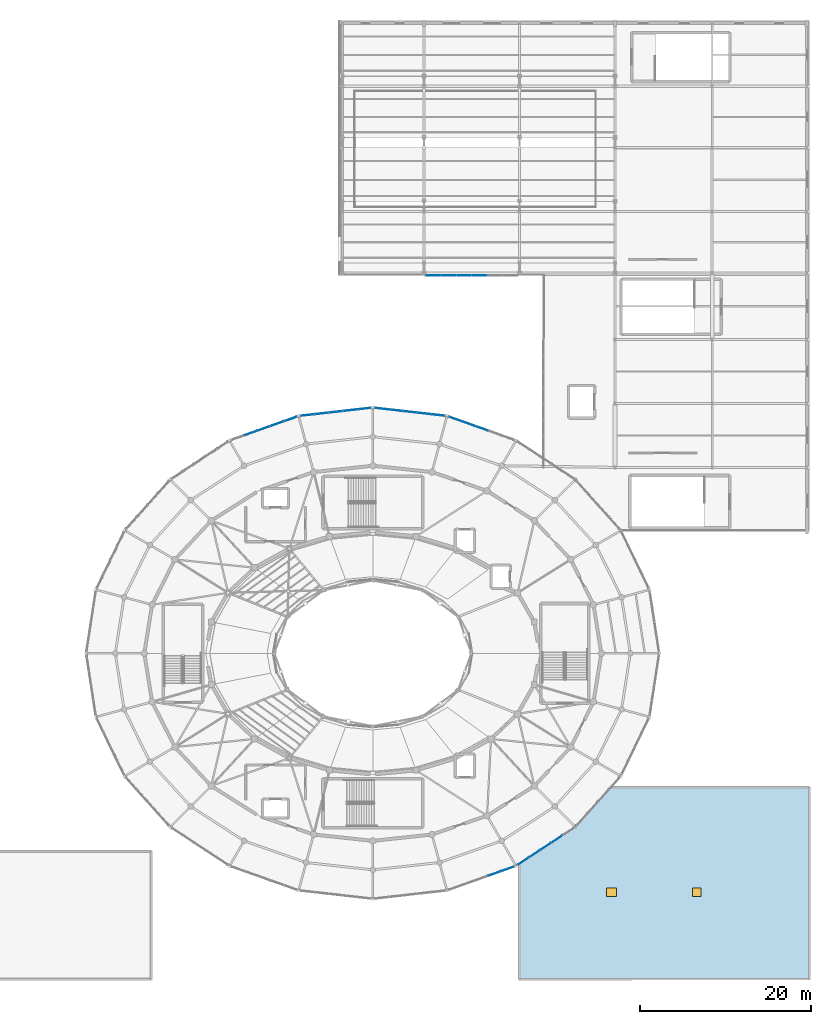
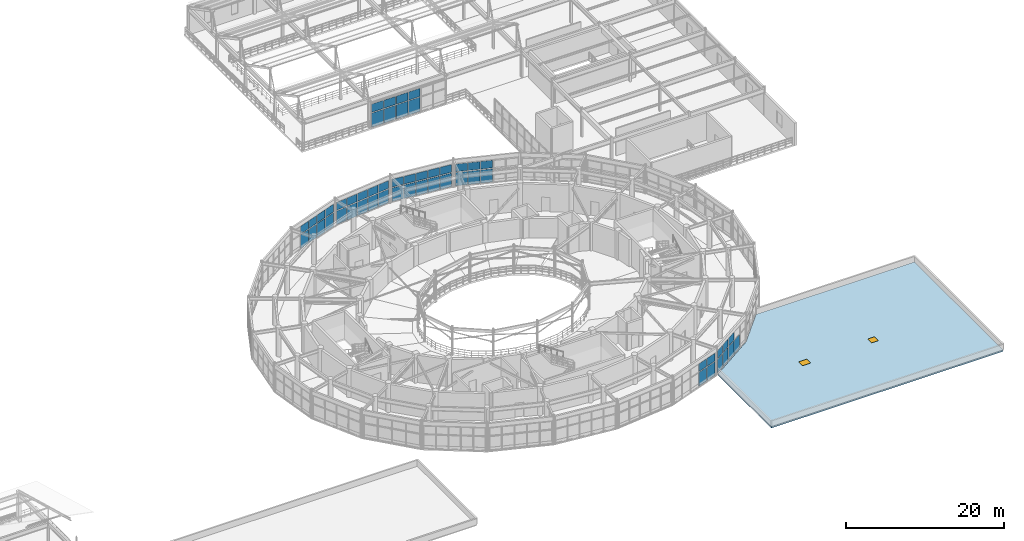
# One storey, part 77 of 112: 53 plates, 2 doors, 1 slab, 2 openings, 7 elements without a shape of their own.
"""IFC4 building model written with IfcOpenShell, lengths in metres."""

from ifc_helpers import new_model, si_unit, direction, frame, origin, origin_2d, place, context, subcontext, project, spatial, polyline, rectangle, outline, extrude, material, layer, layer_set, type_object, element, fill, aggregate, save


model = new_model("IFC4")

# Units and contexts
model_context = context("Model", 3, precision=1e-05, world=origin(), true_north=direction((0.0, 1.0)))
body_context = subcontext(model_context, "Body", "Model", "MODEL_VIEW")
ifc_project = project(units=[si_unit("LENGTHUNIT", "METRE"), si_unit("AREAUNIT", "SQUARE_METRE"), si_unit("VOLUMEUNIT", "CUBIC_METRE"), si_unit("PLANEANGLEUNIT", "RADIAN"), si_unit("MASSUNIT", "GRAM", prefix="KILO")], contexts=[model_context])

# Site, building, storey
site_placement = place(None, origin())
site = spatial("IfcSite", under=ifc_project, at=site_placement, CompositionType="ELEMENT")
building_placement = place(site_placement, origin())
building = spatial("IfcBuilding", under=site, at=building_placement, Name="Cinderbank Siding Concert Hall", CompositionType="ELEMENT")
storey_placement = place(building_placement, frame((0.0, 0.0, 10.199951171875)))
storey = spatial("IfcBuildingStorey", under=building, at=storey_placement, Name="L03", CompositionType="ELEMENT", Elevation=10.199951171875)

# Curtain wall, plates
ifc_material_1 = material(Name="Anodised aluminium alloy 6063-T6", Category="aluminium")
curtain_wall_type_1 = type_object("IfcCurtainWallType", Name="CW-08 Unitised Acoustic Curtain Wall 6400x3800", PredefinedType="NOTDEFINED", material=ifc_material_1)
curtain_wall_1_placement = place(storey_placement, origin())
curtain_wall_1 = element("IfcCurtainWall", 1, at=curtain_wall_1_placement, inside=storey, type_object=curtain_wall_type_1, Name="L03 Curtain Wall CW-08 #32", PredefinedType="NOTDEFINED")
ifc_material_2 = material(Name="Double-glazed laminated acoustic glass", Category="glass")
ifc_layer_1 = layer(ifc_material_2, 0.035888671875)
ifc_layer_set_1 = layer_set([ifc_layer_1], Name="Double-glazed laminated acoustic glass")
plate_type_1 = type_object("IfcPlateType", Name="CP-01 Glazed Curtain Panel 1800x2200", PredefinedType="CURTAIN_PANEL", material=ifc_layer_set_1)
plate_1_placement = place(storey_placement, frame((112.322265625, 71.47021484375, 0.1201171875), z_axis=(0.0, 0.0, 1.0), x_axis=(-0.942365662238, -0.334584755532, 0.0)))
plate_1 = element("IfcPlate", 2, at=plate_1_placement, type_object=plate_type_1, Name="CW-L03-032 Glazed Panel 0-0", PredefinedType="CURTAIN_PANEL", context=body_context, shape_type="SweptSolid", body=[
    extrude(rectangle(XDim=1.529052734375, YDim=0.035888671875, at=origin_2d()), origin(), (0.0, 0.0, 1.0), 2.093505859375),
])
plate_2_placement = place(storey_placement, frame((112.322265625, 71.47021484375, 2.333740234375), z_axis=(0.0, 0.0, 1.0), x_axis=(-0.942365662238, -0.334584755532, 0.0)))
plate_2 = element("IfcPlate", 3, at=plate_2_placement, type_object=plate_type_1, Name="CW-L03-032 Glazed Panel 0-1", PredefinedType="CURTAIN_PANEL", context=body_context, shape_type="SweptSolid", body=[
    extrude(rectangle(XDim=1.529052734375, YDim=0.035888671875, at=origin_2d()), origin(), (0.0, 0.0, 1.0), 1.21337890625),
])
plate_3_placement = place(storey_placement, frame((110.787109375, 70.92529296875, 0.1201171875), z_axis=(0.0, 0.0, 1.0), x_axis=(-0.942365662238, -0.334584755532, 0.0)))
plate_3 = element("IfcPlate", 4, at=plate_3_placement, type_object=plate_type_1, Name="CW-L03-032 Glazed Panel 1-0", PredefinedType="CURTAIN_PANEL", context=body_context, shape_type="SweptSolid", body=[
    extrude(rectangle(XDim=1.529052734375, YDim=0.035888671875, at=origin_2d()), origin(), (0.0, 0.0, 1.0), 2.093505859375),
])
plate_4_placement = place(storey_placement, frame((110.787109375, 70.92529296875, 2.333740234375), z_axis=(0.0, 0.0, 1.0), x_axis=(-0.942365662238, -0.334584755532, 0.0)))
plate_4 = element("IfcPlate", 5, at=plate_4_placement, type_object=plate_type_1, Name="CW-L03-032 Glazed Panel 1-1", PredefinedType="CURTAIN_PANEL", context=body_context, shape_type="SweptSolid", body=[
    extrude(rectangle(XDim=1.529052734375, YDim=0.035888671875, at=origin_2d()), origin(), (0.0, 0.0, 1.0), 1.21337890625),
])
plate_5_placement = place(storey_placement, frame((109.251953125, 70.380126953125, 0.1201171875), z_axis=(0.0, 0.0, 1.0), x_axis=(-0.942365662238, -0.334584755532, 0.0)))
plate_5 = element("IfcPlate", 6, at=plate_5_placement, type_object=plate_type_1, Name="CW-L03-032 Glazed Panel 2-0", PredefinedType="CURTAIN_PANEL", context=body_context, shape_type="SweptSolid", body=[
    extrude(rectangle(XDim=1.529052734375, YDim=0.035888671875, at=origin_2d()), origin(), (0.0, 0.0, 1.0), 2.093505859375),
])
plate_6_placement = place(storey_placement, frame((109.251953125, 70.380126953125, 2.333740234375), z_axis=(0.0, 0.0, 1.0), x_axis=(-0.942365662238, -0.334584755532, 0.0)))
plate_6 = element("IfcPlate", 7, at=plate_6_placement, type_object=plate_type_1, Name="CW-L03-032 Glazed Panel 2-1", PredefinedType="CURTAIN_PANEL", context=body_context, shape_type="SweptSolid", body=[
    extrude(rectangle(XDim=1.529052734375, YDim=0.035888671875, at=origin_2d()), origin(), (0.0, 0.0, 1.0), 1.21337890625),
])
plate_7_placement = place(storey_placement, frame((107.716796875, 69.8349609375, 0.1201171875), z_axis=(0.0, 0.0, 1.0), x_axis=(-0.942365662238, -0.334584755532, 0.0)))
plate_7 = element("IfcPlate", 8, at=plate_7_placement, type_object=plate_type_1, Name="CW-L03-032 Glazed Panel 3-0", PredefinedType="CURTAIN_PANEL", context=body_context, shape_type="SweptSolid", body=[
    extrude(rectangle(XDim=1.529052734375, YDim=0.035888671875, at=origin_2d()), origin(), (0.0, 0.0, 1.0), 2.093505859375),
])
plate_8_placement = place(storey_placement, frame((107.716796875, 69.8349609375, 2.333740234375), z_axis=(0.0, 0.0, 1.0), x_axis=(-0.942365662238, -0.334584755532, 0.0)))
plate_8 = element("IfcPlate", 9, at=plate_8_placement, type_object=plate_type_1, Name="CW-L03-032 Glazed Panel 3-1", PredefinedType="CURTAIN_PANEL", context=body_context, shape_type="SweptSolid", body=[
    extrude(rectangle(XDim=1.529052734375, YDim=0.035888671875, at=origin_2d()), origin(), (0.0, 0.0, 1.0), 1.21337890625),
])
aggregate(curtain_wall_1, [plate_1, plate_2, plate_3, plate_4, plate_5, plate_6, plate_7, plate_8])

curtain_wall_type_2 = type_object("IfcCurtainWallType", Name="CW-16 Unitised Acoustic Curtain Wall 9200x3800", PredefinedType="NOTDEFINED", material=ifc_material_1)
curtain_wall_2_placement = place(storey_placement, origin())
curtain_wall_2 = element("IfcCurtainWall", 10, at=curtain_wall_2_placement, inside=storey, type_object=curtain_wall_type_2, Name="L03 Curtain Wall CW-16 #152", PredefinedType="NOTDEFINED")
plate_9_placement = place(storey_placement, frame((129.09423828125, 88.300048828125, 0.1201171875), z_axis=(0.0, 0.0, 1.0), x_axis=(1.0, 0.0, 0.0)))
plate_9 = element("IfcPlate", 11, at=plate_9_placement, type_object=plate_type_1, Name="CW-L03-152 Glazed Panel 0-0", PredefinedType="CURTAIN_PANEL", context=body_context, shape_type="SweptSolid", body=[
    extrude(rectangle(XDim=1.702392578125, YDim=0.035888671875, at=origin_2d()), origin(), (0.0, 0.0, 1.0), 2.174072265625),
])
plate_10_placement = place(storey_placement, frame((129.09423828125, 88.300048828125, 2.4140625), z_axis=(0.0, 0.0, 1.0), x_axis=(1.0, 0.0, 0.0)))
plate_10 = element("IfcPlate", 12, at=plate_10_placement, type_object=plate_type_1, Name="CW-L03-152 Glazed Panel 0-1", PredefinedType="CURTAIN_PANEL", context=body_context, shape_type="SweptSolid", body=[
    extrude(rectangle(XDim=1.702392578125, YDim=0.035888671875, at=origin_2d()), origin(), (0.0, 0.0, 1.0), 1.262939453125),
])
plate_11_placement = place(storey_placement, frame((130.896484375, 88.300048828125, 0.1201171875), z_axis=(0.0, 0.0, 1.0), x_axis=(1.0, 0.0, 0.0)))
plate_11 = element("IfcPlate", 13, at=plate_11_placement, type_object=plate_type_1, Name="CW-L03-152 Glazed Panel 1-0", PredefinedType="CURTAIN_PANEL", context=body_context, shape_type="SweptSolid", body=[
    extrude(rectangle(XDim=1.702392578125, YDim=0.035888671875, at=origin_2d()), origin(), (0.0, 0.0, 1.0), 2.174072265625),
])
plate_12_placement = place(storey_placement, frame((130.896484375, 88.300048828125, 2.4140625), z_axis=(0.0, 0.0, 1.0), x_axis=(1.0, 0.0, 0.0)))
plate_12 = element("IfcPlate", 14, at=plate_12_placement, type_object=plate_type_1, Name="CW-L03-152 Glazed Panel 1-1", PredefinedType="CURTAIN_PANEL", context=body_context, shape_type="SweptSolid", body=[
    extrude(rectangle(XDim=1.702392578125, YDim=0.035888671875, at=origin_2d()), origin(), (0.0, 0.0, 1.0), 1.262939453125),
])
plate_13_placement = place(storey_placement, frame((132.69873046875, 88.300048828125, 0.1201171875), z_axis=(0.0, 0.0, 1.0), x_axis=(1.0, 0.0, 0.0)))
plate_13 = element("IfcPlate", 15, at=plate_13_placement, type_object=plate_type_1, Name="CW-L03-152 Glazed Panel 2-0", PredefinedType="CURTAIN_PANEL", context=body_context, shape_type="SweptSolid", body=[
    extrude(rectangle(XDim=1.702392578125, YDim=0.035888671875, at=origin_2d()), origin(), (0.0, 0.0, 1.0), 2.174072265625),
])
plate_14_placement = place(storey_placement, frame((132.69873046875, 88.300048828125, 2.4140625), z_axis=(0.0, 0.0, 1.0), x_axis=(1.0, 0.0, 0.0)))
plate_14 = element("IfcPlate", 16, at=plate_14_placement, type_object=plate_type_1, Name="CW-L03-152 Glazed Panel 2-1", PredefinedType="CURTAIN_PANEL", context=body_context, shape_type="SweptSolid", body=[
    extrude(rectangle(XDim=1.702392578125, YDim=0.035888671875, at=origin_2d()), origin(), (0.0, 0.0, 1.0), 1.262939453125),
])
plate_15_placement = place(storey_placement, frame((134.501220703125, 88.300048828125, 0.1201171875), z_axis=(0.0, 0.0, 1.0), x_axis=(1.0, 0.0, 0.0)))
plate_15 = element("IfcPlate", 17, at=plate_15_placement, type_object=plate_type_1, Name="CW-L03-152 Glazed Panel 3-0", PredefinedType="CURTAIN_PANEL", context=body_context, shape_type="SweptSolid", body=[
    extrude(rectangle(XDim=1.702392578125, YDim=0.035888671875, at=origin_2d()), origin(), (0.0, 0.0, 1.0), 2.174072265625),
])
plate_16_placement = place(storey_placement, frame((134.501220703125, 88.300048828125, 2.4140625), z_axis=(0.0, 0.0, 1.0), x_axis=(1.0, 0.0, 0.0)))
plate_16 = element("IfcPlate", 18, at=plate_16_placement, type_object=plate_type_1, Name="CW-L03-152 Glazed Panel 3-1", PredefinedType="CURTAIN_PANEL", context=body_context, shape_type="SweptSolid", body=[
    extrude(rectangle(XDim=1.702392578125, YDim=0.035888671875, at=origin_2d()), origin(), (0.0, 0.0, 1.0), 1.262939453125),
])
aggregate(curtain_wall_2, [plate_9, plate_10, plate_11, plate_12, plate_13, plate_14, plate_15, plate_16])

curtain_wall_3_placement = place(storey_placement, origin())
curtain_wall_3 = element("IfcCurtainWall", 19, at=curtain_wall_3_placement, inside=storey, type_object=curtain_wall_type_1, Name="L03 Curtain Wall CW-08 #44", PredefinedType="NOTDEFINED")
ifc_layer_2 = layer(ifc_material_2, 0.031982421875)
ifc_layer_set_2 = layer_set([ifc_layer_2], Name="Double-glazed laminated acoustic glass")
plate_type_2 = type_object("IfcPlateType", Name="CP-05 Glazed Curtain Panel 1200x1800", PredefinedType="CURTAIN_PANEL", material=ifc_layer_set_2)
plate_17_placement = place(storey_placement, frame((136.283203125, 18.1650390625, 0.1201171875), z_axis=(0.0, 0.0, 1.0), x_axis=(0.942365662238, 0.334584755532, 0.0)))
plate_17 = element("IfcPlate", 20, at=plate_17_placement, type_object=plate_type_2, Name="CW-L03-044 Glazed Panel 3-0", PredefinedType="CURTAIN_PANEL", context=body_context, shape_type="SweptSolid", body=[
    extrude(rectangle(XDim=1.529052734375, YDim=0.035888671875, at=origin_2d()), origin(), (0.0, 0.0, 1.0), 2.093505859375),
])
plate_18_placement = place(storey_placement, frame((136.283203125, 18.1650390625, 2.333740234375), z_axis=(0.0, 0.0, 1.0), x_axis=(0.942365662238, 0.334584755532, 0.0)))
plate_18 = element("IfcPlate", 21, at=plate_18_placement, type_object=plate_type_2, Name="CW-L03-044 Glazed Panel 3-1", PredefinedType="CURTAIN_PANEL", context=body_context, shape_type="SweptSolid", body=[
    extrude(rectangle(XDim=1.529052734375, YDim=0.035888671875, at=origin_2d()), origin(), (0.0, 0.0, 1.0), 1.21337890625),
])
plate_19_placement = place(storey_placement, frame((137.818603515625, 18.7099609375, 0.1201171875), z_axis=(0.0, 0.0, 1.0), x_axis=(0.942365662238, 0.334584755532, 0.0)))
plate_19 = element("IfcPlate", 22, at=plate_19_placement, type_object=plate_type_2, Name="CW-L03-044 Glazed Panel 4-0", PredefinedType="CURTAIN_PANEL", context=body_context, shape_type="SweptSolid", body=[
    extrude(rectangle(XDim=1.529052734375, YDim=0.035888671875, at=origin_2d()), origin(), (0.0, 0.0, 1.0), 2.093505859375),
])
plate_20_placement = place(storey_placement, frame((137.818603515625, 18.7099609375, 2.333740234375), z_axis=(0.0, 0.0, 1.0), x_axis=(0.942365662238, 0.334584755532, 0.0)))
plate_20 = element("IfcPlate", 23, at=plate_20_placement, type_object=plate_type_2, Name="CW-L03-044 Glazed Panel 4-1", PredefinedType="CURTAIN_PANEL", context=body_context, shape_type="SweptSolid", body=[
    extrude(rectangle(XDim=1.529052734375, YDim=0.035888671875, at=origin_2d()), origin(), (0.0, 0.0, 1.0), 1.21337890625),
])
aggregate(curtain_wall_3, [plate_17, plate_18, plate_19, plate_20])

curtain_wall_type_3 = type_object("IfcCurtainWallType", Name="CW-05 Unitised Acoustic Curtain Wall 8200x3800", PredefinedType="NOTDEFINED", material=ifc_material_1)
curtain_wall_4_placement = place(storey_placement, origin())
curtain_wall_4 = element("IfcCurtainWall", 24, at=curtain_wall_4_placement, inside=storey, type_object=curtain_wall_type_3, Name="L03 Curtain Wall CW-05 #29", PredefinedType="NOTDEFINED")
ifc_layer_3 = layer(ifc_material_2, 0.0380859375)
ifc_layer_set_3 = layer_set([ifc_layer_3], Name="Double-glazed laminated acoustic glass")
plate_type_3 = type_object("IfcPlateType", Name="CP-06 Glazed Curtain Panel 2100x1600", PredefinedType="CURTAIN_PANEL", material=ifc_layer_set_3)
plate_21_placement = place(storey_placement, frame((134.748291015625, 70.380126953125, 0.1201171875), z_axis=(0.0, 0.0, 1.0), x_axis=(-0.942365662238, 0.334584755532, 0.0)))
plate_21 = element("IfcPlate", 25, at=plate_21_placement, type_object=plate_type_3, Name="CW-L03-029 Glazed Panel 2-0", PredefinedType="CURTAIN_PANEL", context=body_context, shape_type="SweptSolid", body=[
    extrude(rectangle(XDim=1.529052734375, YDim=0.035888671875, at=origin_2d()), origin(), (0.0, 0.0, 1.0), 2.0625),
])
plate_22_placement = place(storey_placement, frame((134.748291015625, 70.380126953125, 2.302734375), z_axis=(0.0, 0.0, 1.0), x_axis=(-0.942365662238, 0.334584755532, 0.0)))
plate_22 = element("IfcPlate", 26, at=plate_22_placement, type_object=plate_type_3, Name="CW-L03-029 Glazed Panel 2-1", PredefinedType="CURTAIN_PANEL", context=body_context, shape_type="SweptSolid", body=[
    extrude(rectangle(XDim=1.529052734375, YDim=0.035888671875, at=origin_2d()), origin(), (0.0, 0.0, 1.0), 1.194580078125),
])
plate_23_placement = place(storey_placement, frame((133.212890625, 70.92529296875, 0.1201171875), z_axis=(0.0, 0.0, 1.0), x_axis=(-0.942365662238, 0.334584755532, 0.0)))
plate_23 = element("IfcPlate", 27, at=plate_23_placement, type_object=plate_type_3, Name="CW-L03-029 Glazed Panel 3-0", PredefinedType="CURTAIN_PANEL", context=body_context, shape_type="SweptSolid", body=[
    extrude(rectangle(XDim=1.529052734375, YDim=0.035888671875, at=origin_2d()), origin(), (0.0, 0.0, 1.0), 2.0625),
])
plate_24_placement = place(storey_placement, frame((133.212890625, 70.92529296875, 2.302734375), z_axis=(0.0, 0.0, 1.0), x_axis=(-0.942365662238, 0.334584755532, 0.0)))
plate_24 = element("IfcPlate", 28, at=plate_24_placement, type_object=plate_type_3, Name="CW-L03-029 Glazed Panel 3-1", PredefinedType="CURTAIN_PANEL", context=body_context, shape_type="SweptSolid", body=[
    extrude(rectangle(XDim=1.529052734375, YDim=0.035888671875, at=origin_2d()), origin(), (0.0, 0.0, 1.0), 1.194580078125),
])
plate_25_placement = place(storey_placement, frame((131.677734375, 71.47021484375, 0.1201171875), z_axis=(0.0, 0.0, 1.0), x_axis=(-0.942365662238, 0.334584755532, 0.0)))
plate_25 = element("IfcPlate", 29, at=plate_25_placement, type_object=plate_type_3, Name="CW-L03-029 Glazed Panel 4-0", PredefinedType="CURTAIN_PANEL", context=body_context, shape_type="SweptSolid", body=[
    extrude(rectangle(XDim=1.529052734375, YDim=0.035888671875, at=origin_2d()), origin(), (0.0, 0.0, 1.0), 2.0625),
])
plate_26_placement = place(storey_placement, frame((131.677734375, 71.47021484375, 2.302734375), z_axis=(0.0, 0.0, 1.0), x_axis=(-0.942365662238, 0.334584755532, 0.0)))
plate_26 = element("IfcPlate", 30, at=plate_26_placement, type_object=plate_type_3, Name="CW-L03-029 Glazed Panel 4-1", PredefinedType="CURTAIN_PANEL", context=body_context, shape_type="SweptSolid", body=[
    extrude(rectangle(XDim=1.529052734375, YDim=0.035888671875, at=origin_2d()), origin(), (0.0, 0.0, 1.0), 1.194580078125),
])
aggregate(curtain_wall_4, [plate_21, plate_22, plate_23, plate_24, plate_25, plate_26])

curtain_wall_type_4 = type_object("IfcCurtainWallType", Name="CW-09 Unitised Acoustic Curtain Wall 8000x3500", PredefinedType="NOTDEFINED", material=ifc_material_1)
curtain_wall_5_placement = place(storey_placement, origin())
curtain_wall_5 = element("IfcCurtainWall", 31, at=curtain_wall_5_placement, inside=storey, type_object=curtain_wall_type_4, Name="L03 Curtain Wall CW-09 #45", PredefinedType="NOTDEFINED")
plate_27_placement = place(storey_placement, frame((139.647705078125, 19.615966796875, 0.1201171875), z_axis=(0.0, 0.0, 1.0), x_axis=(0.835491932304, 0.549502712509, 0.0)))
plate_27 = element("IfcPlate", 32, at=plate_27_placement, type_object=plate_type_3, Name="CW-L03-045 Glazed Panel 0-0", PredefinedType="CURTAIN_PANEL", context=body_context, shape_type="SweptSolid", body=[
    extrude(rectangle(XDim=1.47509765625, YDim=0.035888671875, at=origin_2d()), origin(), (0.0, 0.0, 1.0), 2.093505859375),
])
plate_28_placement = place(storey_placement, frame((139.647705078125, 19.615966796875, 2.333740234375), z_axis=(0.0, 0.0, 1.0), x_axis=(0.835491932304, 0.549502712509, 0.0)))
plate_28 = element("IfcPlate", 33, at=plate_28_placement, type_object=plate_type_3, Name="CW-L03-045 Glazed Panel 0-1", PredefinedType="CURTAIN_PANEL", context=body_context, shape_type="SweptSolid", body=[
    extrude(rectangle(XDim=1.47509765625, YDim=0.035888671875, at=origin_2d()), origin(), (0.0, 0.0, 1.0), 1.21337890625),
])
plate_29_placement = place(storey_placement, frame((140.96337890625, 20.4814453125, 0.1201171875), z_axis=(0.0, 0.0, 1.0), x_axis=(0.835491932304, 0.549502712509, 0.0)))
plate_29 = element("IfcPlate", 34, at=plate_29_placement, type_object=plate_type_3, Name="CW-L03-045 Glazed Panel 1-0", PredefinedType="CURTAIN_PANEL", context=body_context, shape_type="SweptSolid", body=[
    extrude(rectangle(XDim=1.47509765625, YDim=0.035888671875, at=origin_2d()), origin(), (0.0, 0.0, 1.0), 2.093505859375),
])
plate_30_placement = place(storey_placement, frame((140.96337890625, 20.4814453125, 2.333740234375), z_axis=(0.0, 0.0, 1.0), x_axis=(0.835491932304, 0.549502712509, 0.0)))
plate_30 = element("IfcPlate", 35, at=plate_30_placement, type_object=plate_type_3, Name="CW-L03-045 Glazed Panel 1-1", PredefinedType="CURTAIN_PANEL", context=body_context, shape_type="SweptSolid", body=[
    extrude(rectangle(XDim=1.47509765625, YDim=0.035888671875, at=origin_2d()), origin(), (0.0, 0.0, 1.0), 1.21337890625),
])
plate_31_placement = place(storey_placement, frame((142.279296875, 21.346923828125, 0.1201171875), z_axis=(0.0, 0.0, 1.0), x_axis=(0.835491932304, 0.549502712509, 0.0)))
plate_31 = element("IfcPlate", 36, at=plate_31_placement, type_object=plate_type_3, Name="CW-L03-045 Glazed Panel 2-0", PredefinedType="CURTAIN_PANEL", context=body_context, shape_type="SweptSolid", body=[
    extrude(rectangle(XDim=1.47509765625, YDim=0.035888671875, at=origin_2d()), origin(), (0.0, 0.0, 1.0), 2.093505859375),
])
plate_32_placement = place(storey_placement, frame((142.279296875, 21.346923828125, 2.333740234375), z_axis=(0.0, 0.0, 1.0), x_axis=(0.835491932304, 0.549502712509, 0.0)))
plate_32 = element("IfcPlate", 37, at=plate_32_placement, type_object=plate_type_3, Name="CW-L03-045 Glazed Panel 2-1", PredefinedType="CURTAIN_PANEL", context=body_context, shape_type="SweptSolid", body=[
    extrude(rectangle(XDim=1.47509765625, YDim=0.035888671875, at=origin_2d()), origin(), (0.0, 0.0, 1.0), 1.21337890625),
])
plate_33_placement = place(storey_placement, frame((143.59521484375, 22.21240234375, 0.1201171875), z_axis=(0.0, 0.0, 1.0), x_axis=(0.835491932304, 0.549502712509, 0.0)))
plate_33 = element("IfcPlate", 38, at=plate_33_placement, type_object=plate_type_3, Name="CW-L03-045 Glazed Panel 3-0", PredefinedType="CURTAIN_PANEL", context=body_context, shape_type="SweptSolid", body=[
    extrude(rectangle(XDim=1.47509765625, YDim=0.035888671875, at=origin_2d()), origin(), (0.0, 0.0, 1.0), 2.093505859375),
])
aggregate(curtain_wall_5, [plate_27, plate_28, plate_29, plate_30, plate_31, plate_32, plate_33])

curtain_wall_type_5 = type_object("IfcCurtainWallType", Name="CW-06 Unitised Acoustic Curtain Wall 7600x3800", PredefinedType="NOTDEFINED", material=ifc_material_1)
curtain_wall_6_placement = place(storey_placement, origin())
curtain_wall_6 = element("IfcCurtainWall", 39, at=curtain_wall_6_placement, inside=storey, type_object=curtain_wall_type_5, Name="L03 Curtain Wall CW-06 #30", PredefinedType="NOTDEFINED")
ifc_layer_4 = layer(ifc_material_2, 0.033935546875)
ifc_layer_set_4 = layer_set([ifc_layer_4], Name="Double-glazed laminated acoustic glass")
plate_type_4 = type_object("IfcPlateType", Name="CP-07 Glazed Curtain Panel 1500x1750", PredefinedType="CURTAIN_PANEL", material=ifc_layer_set_4)
plate_34_placement = place(storey_placement, frame((129.646240234375, 71.937255859375, 0.1201171875), z_axis=(0.0, 0.0, 1.0), x_axis=(-0.993693605349, 0.112129472879, 0.0)))
plate_34 = element("IfcPlate", 40, at=plate_34_placement, type_object=plate_type_4, Name="CW-L03-030 Glazed Panel 0-0", PredefinedType="CURTAIN_PANEL", context=body_context, shape_type="SweptSolid", body=[
    extrude(rectangle(XDim=1.5595703125, YDim=0.035888671875, at=origin_2d()), origin(), (0.0, 0.0, 1.0), 2.093505859375),
])
plate_35_placement = place(storey_placement, frame((129.646240234375, 71.937255859375, 2.333740234375), z_axis=(0.0, 0.0, 1.0), x_axis=(-0.993693605349, 0.112129472879, 0.0)))
plate_35 = element("IfcPlate", 41, at=plate_35_placement, type_object=plate_type_4, Name="CW-L03-030 Glazed Panel 0-1", PredefinedType="CURTAIN_PANEL", context=body_context, shape_type="SweptSolid", body=[
    extrude(rectangle(XDim=1.5595703125, YDim=0.035888671875, at=origin_2d()), origin(), (0.0, 0.0, 1.0), 1.21337890625),
])
plate_36_placement = place(storey_placement, frame((127.997314453125, 72.123291015625, 0.1201171875), z_axis=(0.0, 0.0, 1.0), x_axis=(-0.993693605349, 0.112129472879, 0.0)))
plate_36 = element("IfcPlate", 42, at=plate_36_placement, type_object=plate_type_4, Name="CW-L03-030 Glazed Panel 1-0", PredefinedType="CURTAIN_PANEL", context=body_context, shape_type="SweptSolid", body=[
    extrude(rectangle(XDim=1.5595703125, YDim=0.035888671875, at=origin_2d()), origin(), (0.0, 0.0, 1.0), 2.093505859375),
])
plate_37_placement = place(storey_placement, frame((127.997314453125, 72.123291015625, 2.333740234375), z_axis=(0.0, 0.0, 1.0), x_axis=(-0.993693605349, 0.112129472879, 0.0)))
plate_37 = element("IfcPlate", 43, at=plate_37_placement, type_object=plate_type_4, Name="CW-L03-030 Glazed Panel 1-1", PredefinedType="CURTAIN_PANEL", context=body_context, shape_type="SweptSolid", body=[
    extrude(rectangle(XDim=1.5595703125, YDim=0.035888671875, at=origin_2d()), origin(), (0.0, 0.0, 1.0), 1.21337890625),
])
plate_38_placement = place(storey_placement, frame((126.34814453125, 72.309326171875, 0.1201171875), z_axis=(0.0, 0.0, 1.0), x_axis=(-0.993693605349, 0.112129472879, 0.0)))
plate_38 = element("IfcPlate", 44, at=plate_38_placement, type_object=plate_type_4, Name="CW-L03-030 Glazed Panel 2-0", PredefinedType="CURTAIN_PANEL", context=body_context, shape_type="SweptSolid", body=[
    extrude(rectangle(XDim=1.5595703125, YDim=0.035888671875, at=origin_2d()), origin(), (0.0, 0.0, 1.0), 2.093505859375),
])
plate_39_placement = place(storey_placement, frame((126.34814453125, 72.309326171875, 2.333740234375), z_axis=(0.0, 0.0, 1.0), x_axis=(-0.993693605349, 0.112129472879, 0.0)))
plate_39 = element("IfcPlate", 45, at=plate_39_placement, type_object=plate_type_4, Name="CW-L03-030 Glazed Panel 2-1", PredefinedType="CURTAIN_PANEL", context=body_context, shape_type="SweptSolid", body=[
    extrude(rectangle(XDim=1.5595703125, YDim=0.035888671875, at=origin_2d()), origin(), (0.0, 0.0, 1.0), 1.21337890625),
])
plate_40_placement = place(storey_placement, frame((124.69921875, 72.495361328125, 0.1201171875), z_axis=(0.0, 0.0, 1.0), x_axis=(-0.993693605349, 0.112129472879, 0.0)))
plate_40 = element("IfcPlate", 46, at=plate_40_placement, type_object=plate_type_4, Name="CW-L03-030 Glazed Panel 3-0", PredefinedType="CURTAIN_PANEL", context=body_context, shape_type="SweptSolid", body=[
    extrude(rectangle(XDim=1.5595703125, YDim=0.035888671875, at=origin_2d()), origin(), (0.0, 0.0, 1.0), 2.093505859375),
])
plate_41_placement = place(storey_placement, frame((124.69921875, 72.495361328125, 2.333740234375), z_axis=(0.0, 0.0, 1.0), x_axis=(-0.993693605349, 0.112129472879, 0.0)))
plate_41 = element("IfcPlate", 47, at=plate_41_placement, type_object=plate_type_4, Name="CW-L03-030 Glazed Panel 3-1", PredefinedType="CURTAIN_PANEL", context=body_context, shape_type="SweptSolid", body=[
    extrude(rectangle(XDim=1.5595703125, YDim=0.035888671875, at=origin_2d()), origin(), (0.0, 0.0, 1.0), 1.21337890625),
])
plate_42_placement = place(storey_placement, frame((123.050048828125, 72.681396484375, 0.1201171875), z_axis=(0.0, 0.0, 1.0), x_axis=(-0.993693605349, 0.112129472879, 0.0)))
plate_42 = element("IfcPlate", 48, at=plate_42_placement, type_object=plate_type_4, Name="CW-L03-030 Glazed Panel 4-0", PredefinedType="CURTAIN_PANEL", context=body_context, shape_type="SweptSolid", body=[
    extrude(rectangle(XDim=1.5595703125, YDim=0.035888671875, at=origin_2d()), origin(), (0.0, 0.0, 1.0), 2.093505859375),
])
plate_43_placement = place(storey_placement, frame((123.050048828125, 72.681396484375, 2.333740234375), z_axis=(0.0, 0.0, 1.0), x_axis=(-0.993693605349, 0.112129472879, 0.0)))
plate_43 = element("IfcPlate", 49, at=plate_43_placement, type_object=plate_type_4, Name="CW-L03-030 Glazed Panel 4-1", PredefinedType="CURTAIN_PANEL", context=body_context, shape_type="SweptSolid", body=[
    extrude(rectangle(XDim=1.5595703125, YDim=0.035888671875, at=origin_2d()), origin(), (0.0, 0.0, 1.0), 1.21337890625),
])
aggregate(curtain_wall_6, [plate_34, plate_35, plate_36, plate_37, plate_38, plate_39, plate_40, plate_41, plate_42, plate_43])

curtain_wall_type_6 = type_object("IfcCurtainWallType", Name="CW-07 Unitised Acoustic Curtain Wall 7000x3800", PredefinedType="NOTDEFINED", material=ifc_material_1)
curtain_wall_7_placement = place(storey_placement, origin())
curtain_wall_7 = element("IfcCurtainWall", 50, at=curtain_wall_7_placement, inside=storey, type_object=curtain_wall_type_6, Name="L03 Curtain Wall CW-07 #31", PredefinedType="NOTDEFINED")
ifc_layer_5 = layer(ifc_material_2, 0.033935546875)
ifc_layer_set_5 = layer_set([ifc_layer_5], Name="Double-glazed laminated acoustic glass")
plate_type_5 = type_object("IfcPlateType", Name="CP-08 Glazed Curtain Panel 1700x1550", PredefinedType="CURTAIN_PANEL", material=ifc_layer_set_5)
plate_44_placement = place(storey_placement, frame((120.949951171875, 72.681396484375, 0.1201171875), z_axis=(0.0, 0.0, 1.0), x_axis=(-0.993693605349, -0.112129472879, 0.0)))
plate_44 = element("IfcPlate", 51, at=plate_44_placement, type_object=plate_type_5, Name="CW-L03-031 Glazed Panel 0-0", PredefinedType="CURTAIN_PANEL", context=body_context, shape_type="SweptSolid", body=[
    extrude(rectangle(XDim=1.5595703125, YDim=0.035888671875, at=origin_2d()), origin(), (0.0, 0.0, 1.0), 2.093505859375),
])
plate_45_placement = place(storey_placement, frame((120.949951171875, 72.681396484375, 2.333740234375), z_axis=(0.0, 0.0, 1.0), x_axis=(-0.993693605349, -0.112129472879, 0.0)))
plate_45 = element("IfcPlate", 52, at=plate_45_placement, type_object=plate_type_5, Name="CW-L03-031 Glazed Panel 0-1", PredefinedType="CURTAIN_PANEL", context=body_context, shape_type="SweptSolid", body=[
    extrude(rectangle(XDim=1.5595703125, YDim=0.035888671875, at=origin_2d()), origin(), (0.0, 0.0, 1.0), 1.21337890625),
])
plate_46_placement = place(storey_placement, frame((119.30078125, 72.495361328125, 0.1201171875), z_axis=(0.0, 0.0, 1.0), x_axis=(-0.993693605349, -0.112129472879, 0.0)))
plate_46 = element("IfcPlate", 53, at=plate_46_placement, type_object=plate_type_5, Name="CW-L03-031 Glazed Panel 1-0", PredefinedType="CURTAIN_PANEL", context=body_context, shape_type="SweptSolid", body=[
    extrude(rectangle(XDim=1.5595703125, YDim=0.035888671875, at=origin_2d()), origin(), (0.0, 0.0, 1.0), 2.093505859375),
])
plate_47_placement = place(storey_placement, frame((119.30078125, 72.495361328125, 2.333740234375), z_axis=(0.0, 0.0, 1.0), x_axis=(-0.993693605349, -0.112129472879, 0.0)))
plate_47 = element("IfcPlate", 54, at=plate_47_placement, type_object=plate_type_5, Name="CW-L03-031 Glazed Panel 1-1", PredefinedType="CURTAIN_PANEL", context=body_context, shape_type="SweptSolid", body=[
    extrude(rectangle(XDim=1.5595703125, YDim=0.035888671875, at=origin_2d()), origin(), (0.0, 0.0, 1.0), 1.21337890625),
])
plate_48_placement = place(storey_placement, frame((117.65185546875, 72.309326171875, 0.1201171875), z_axis=(0.0, 0.0, 1.0), x_axis=(-0.993693605349, -0.112129472879, 0.0)))
plate_48 = element("IfcPlate", 55, at=plate_48_placement, type_object=plate_type_5, Name="CW-L03-031 Glazed Panel 2-0", PredefinedType="CURTAIN_PANEL", context=body_context, shape_type="SweptSolid", body=[
    extrude(rectangle(XDim=1.5595703125, YDim=0.035888671875, at=origin_2d()), origin(), (0.0, 0.0, 1.0), 2.093505859375),
])
plate_49_placement = place(storey_placement, frame((117.65185546875, 72.309326171875, 2.333740234375), z_axis=(0.0, 0.0, 1.0), x_axis=(-0.993693605349, -0.112129472879, 0.0)))
plate_49 = element("IfcPlate", 56, at=plate_49_placement, type_object=plate_type_5, Name="CW-L03-031 Glazed Panel 2-1", PredefinedType="CURTAIN_PANEL", context=body_context, shape_type="SweptSolid", body=[
    extrude(rectangle(XDim=1.5595703125, YDim=0.035888671875, at=origin_2d()), origin(), (0.0, 0.0, 1.0), 1.21337890625),
])
plate_50_placement = place(storey_placement, frame((116.002685546875, 72.123291015625, 0.1201171875), z_axis=(0.0, 0.0, 1.0), x_axis=(-0.993693605349, -0.112129472879, 0.0)))
plate_50 = element("IfcPlate", 57, at=plate_50_placement, type_object=plate_type_5, Name="CW-L03-031 Glazed Panel 3-0", PredefinedType="CURTAIN_PANEL", context=body_context, shape_type="SweptSolid", body=[
    extrude(rectangle(XDim=1.5595703125, YDim=0.035888671875, at=origin_2d()), origin(), (0.0, 0.0, 1.0), 2.093505859375),
])
plate_51_placement = place(storey_placement, frame((116.002685546875, 72.123291015625, 2.333740234375), z_axis=(0.0, 0.0, 1.0), x_axis=(-0.993693605349, -0.112129472879, 0.0)))
plate_51 = element("IfcPlate", 58, at=plate_51_placement, type_object=plate_type_5, Name="CW-L03-031 Glazed Panel 3-1", PredefinedType="CURTAIN_PANEL", context=body_context, shape_type="SweptSolid", body=[
    extrude(rectangle(XDim=1.5595703125, YDim=0.035888671875, at=origin_2d()), origin(), (0.0, 0.0, 1.0), 1.21337890625),
])
plate_52_placement = place(storey_placement, frame((114.353759765625, 71.937255859375, 0.1201171875), z_axis=(0.0, 0.0, 1.0), x_axis=(-0.993693605349, -0.112129472879, 0.0)))
plate_52 = element("IfcPlate", 59, at=plate_52_placement, type_object=plate_type_5, Name="CW-L03-031 Glazed Panel 4-0", PredefinedType="CURTAIN_PANEL", context=body_context, shape_type="SweptSolid", body=[
    extrude(rectangle(XDim=1.5595703125, YDim=0.035888671875, at=origin_2d()), origin(), (0.0, 0.0, 1.0), 2.093505859375),
])
plate_53_placement = place(storey_placement, frame((114.353759765625, 71.937255859375, 2.333740234375), z_axis=(0.0, 0.0, 1.0), x_axis=(-0.993693605349, -0.112129472879, 0.0)))
plate_53 = element("IfcPlate", 60, at=plate_53_placement, type_object=plate_type_5, Name="CW-L03-031 Glazed Panel 4-1", PredefinedType="CURTAIN_PANEL", context=body_context, shape_type="SweptSolid", body=[
    extrude(rectangle(XDim=1.5595703125, YDim=0.035888671875, at=origin_2d()), origin(), (0.0, 0.0, 1.0), 1.21337890625),
])
aggregate(curtain_wall_7, [plate_44, plate_45, plate_46, plate_47, plate_48, plate_49, plate_50, plate_51, plate_52, plate_53])

# Slab, openings, doors
ifc_material_3 = material(Name="Reinforced concrete AS 3600 N50 (50 MPa)", Category="concrete")
ifc_layer_6 = layer(ifc_material_3, 0.22998046875)
ifc_layer_set_6 = layer_set([ifc_layer_6], Name="Reinforced concrete AS 3600 N50 (50 MPa)")
slab_type = type_object("IfcSlabType", Name="RF-01 Slab 230mm", PredefinedType="ROOF", material=ifc_layer_set_6)
slab_placement = place(storey_placement, frame((0.0, 0.0, -0.349853515625)))
slab = element("IfcSlab", 61, at=slab_placement, inside=storey, type_object=slab_type, Name="L03 SE Non-Accessible Roof", PredefinedType="ROOF", context=body_context, shape_type="SweptSolid", body=[
    extrude(outline(polyline([(173.199951171875, 28.300048828125), (173.199951171875, 5.800048828125), (139.199951171875, 5.800048828125), (139.199951171875, 19.321533203125), (145.7587890625, 23.63525390625), (149.934814453125, 28.300048828125), (173.199951171875, 28.300048828125)]), holes=[polyline([(159.5, 15.5), (160.5, 15.5), (160.5, 16.5), (159.5, 16.5), (159.5, 15.5)]), polyline([(149.39990234375, 15.5), (150.60009765625, 15.5), (150.60009765625, 16.5), (149.39990234375, 16.5), (149.39990234375, 15.5)])]), origin(), (0.0, 0.0, 1.0), 0.22998046875),
])
opening_1_placement = place(slab_placement, frame((160.0, 16.0, -0.011962890625)))
opening_1 = element("IfcOpeningElement", 62, at=opening_1_placement, cuts=slab, Name="Opening RH-01", PredefinedType="OPENING", context=body_context, shape_type="SweptSolid", body=[
    extrude(rectangle(XDim=1.0, YDim=1.0, at=origin_2d()), origin(), (0.0, 0.0, 1.0), 0.25390625),
])
opening_2_placement = place(slab_placement, frame((150.0, 16.0, -0.011962890625)))
opening_2 = element("IfcOpeningElement", 63, at=opening_2_placement, cuts=slab, Name="Opening RH-02", PredefinedType="OPENING", context=body_context, shape_type="SweptSolid", body=[
    extrude(rectangle(XDim=1.199951171875, YDim=1.0, at=origin_2d()), origin(), (0.0, 0.0, 1.0), 0.25390625),
])
ifc_material_4 = material(Name="Galvanised sheet steel acoustic fire door assembly", Category="steel")
door_type_1 = type_object("IfcDoorType", Name="RH-01 Exterior Trapdoor 1000x1000", OperationType="SINGLE_SWING_LEFT", PredefinedType="TRAPDOOR", material=ifc_material_4)
door_1_placement = place(slab_placement, frame((160.0, 16.0, 0.179931640625)))
door_1 = element("IfcDoor", 64, at=door_1_placement, inside=storey, type_object=door_type_1, Name="Roof Maintenance Hatch L03-RH01", OperationType="SINGLE_SWING_LEFT", OverallHeight=1.0, OverallWidth=1.0, PredefinedType="TRAPDOOR", context=body_context, shape_type="SweptSolid", body=[
    extrude(rectangle(XDim=1.0, YDim=1.0, at=origin_2d()), origin(), (0.0, 0.0, 1.0), 0.050048828125),
])
fill(opening_1, door_1)
door_type_2 = type_object("IfcDoorType", Name="RH-02 Exterior Trapdoor 1200x1000", OperationType="SINGLE_SWING_LEFT", PredefinedType="TRAPDOOR", material=ifc_material_4)
door_2_placement = place(slab_placement, frame((150.0, 16.0, 0.179931640625)))
door_2 = element("IfcDoor", 65, at=door_2_placement, inside=storey, type_object=door_type_2, Name="Roof Maintenance Hatch L03-RH05", OperationType="SINGLE_SWING_LEFT", OverallHeight=1.0, OverallWidth=1.199951171875, PredefinedType="TRAPDOOR", context=body_context, shape_type="SweptSolid", body=[
    extrude(rectangle(XDim=1.199951171875, YDim=1.0, at=origin_2d()), origin(), (0.0, 0.0, 1.0), 0.050048828125),
])
fill(opening_2, door_2)

save(model, "model.ifc")
